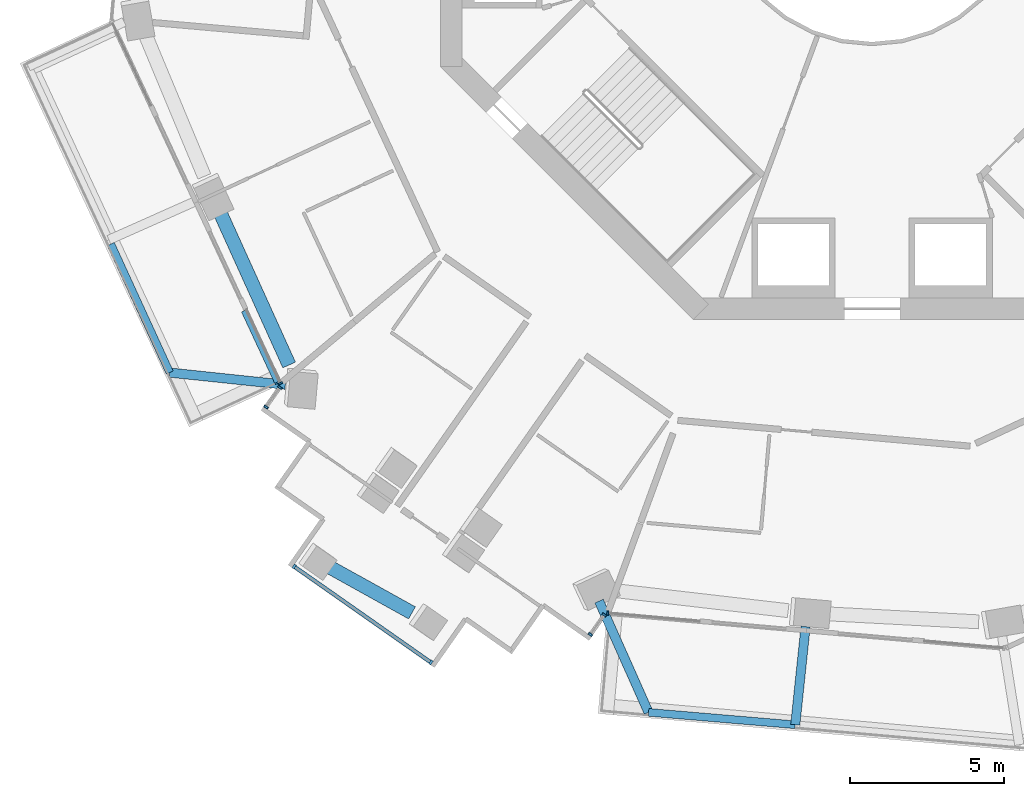
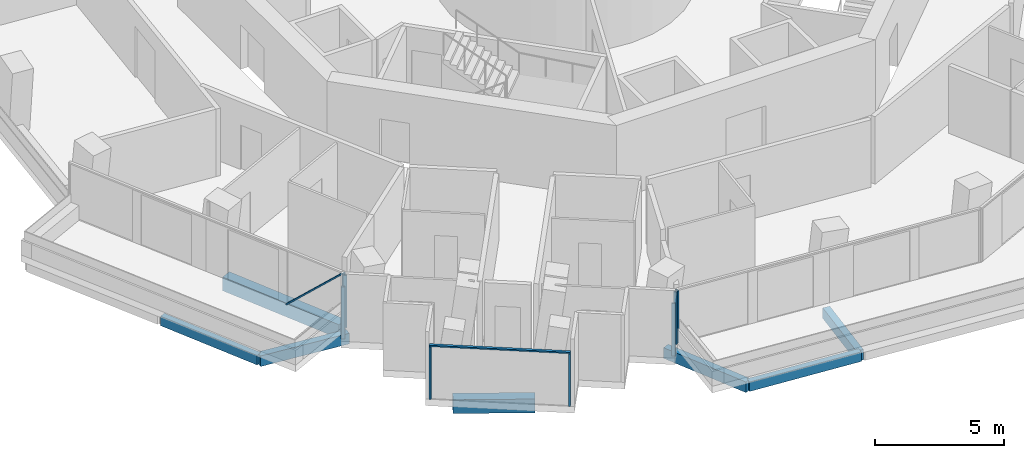
# One storey, part 2 of 23: 10 members, 7 beams, 5 elements without a shape of their own.
"""IFC4 building model written with IfcOpenShell, lengths in metres."""

from ifc_helpers import new_model, si_unit, direction, frame, origin, origin_2d, place, context, subcontext, project, spatial, rectangle, extrude, material, layer, layer_set, material_profile, profile_set, type_object, element, aggregate, save


model = new_model("IFC4")

# Units and contexts
model_context = context("Model", 3, precision=1e-05, world=origin(), true_north=direction((0.0, 1.0)))
body_context = subcontext(model_context, "Body", "Model", "MODEL_VIEW")
ifc_project = project(units=[si_unit("LENGTHUNIT", "METRE"), si_unit("AREAUNIT", "SQUARE_METRE"), si_unit("VOLUMEUNIT", "CUBIC_METRE"), si_unit("PLANEANGLEUNIT", "RADIAN"), si_unit("MASSUNIT", "GRAM", prefix="KILO")], contexts=[model_context])

# Site, building, storey
site_placement = place(None, origin())
site = spatial("IfcSite", under=ifc_project, at=site_placement, CompositionType="ELEMENT")
building_placement = place(site_placement, origin())
building = spatial("IfcBuilding", under=site, at=building_placement, Name="Verdalira Terraces Hotel", CompositionType="ELEMENT")
storey_placement = place(building_placement, frame((0.0, 0.0, 136.5)))
storey = spatial("IfcBuildingStorey", under=building, at=storey_placement, Name="L32", CompositionType="ELEMENT", Elevation=136.5)

# Beams
ifc_material_1 = material(Name="Concrete C40", Category="concrete")
ifc_material_profile_1 = material_profile(ifc_material_1, rectangle(XDim=0.300049, YDim=0.5, at=origin_2d()), Name="RC 300X500")
ifc_profile_set_1 = profile_set([ifc_material_profile_1], Name="Concrete C40")
beam_type_1 = type_object("IfcBeamType", Name="Balcony cantilever beam RC 300X500 C40", PredefinedType="BEAM", material=ifc_profile_set_1)
beam_1_placement = place(storey_placement, frame((-19.031006, -16.115723, -0.560059), z_axis=(-0.994521765, 0.104529704, 0.0), x_axis=(-0.104529704, -0.994521765, 0.0)))
element("IfcBeam", 1, at=beam_1_placement, inside=storey, type_object=beam_type_1, Name="Balcony cantilever beam R13-3", PredefinedType="BEAM", context=body_context, shape_type="SweptSolid", body=[
    extrude(rectangle(XDim=0.300049, YDim=0.5, at=origin_2d()), origin(), (0.0, 0.0, 1.0), 3.769775),
])
beam_2_placement = place(storey_placement, frame((-8.856201, -23.132568, -0.560059), z_axis=(0.406763468, -0.913533514, 0.0), x_axis=(0.913533514, 0.406763468, 0.0)))
element("IfcBeam", 2, at=beam_2_placement, inside=storey, type_object=beam_type_1, Name="Balcony cantilever beam R25-1", PredefinedType="BEAM", context=body_context, shape_type="SweptSolid", body=[
    extrude(rectangle(XDim=0.300049, YDim=0.5, at=origin_2d()), origin(), (0.0, 0.0, 1.0), 3.949951),
])
beam_3_placement = place(storey_placement, frame((-2.156006, -23.961182, -0.560059), z_axis=(-0.104494204, -0.994525496, 0.0), x_axis=(0.994525496, -0.104494204, 0.0)))
element("IfcBeam", 3, at=beam_3_placement, inside=storey, type_object=beam_type_1, Name="Balcony cantilever beam R25-2", PredefinedType="BEAM", context=body_context, shape_type="SweptSolid", body=[
    extrude(rectangle(XDim=0.300049, YDim=0.5, at=origin_2d()), origin(), (0.0, 0.0, 1.0), 3.200928),
])
ifc_material_2 = material(Name="Concrete C40", Category="concrete")
ifc_material_profile_2 = material_profile(ifc_material_2, rectangle(XDim=0.25, YDim=0.449951, at=origin_2d()), Name="RC 250X450")
ifc_profile_set_2 = profile_set([ifc_material_profile_2], Name="Concrete C40")
beam_type_2 = type_object("IfcBeamType", Name="Balcony edge beam RC 250X450 C40", PredefinedType="BEAM", material=ifc_profile_set_2)
beam_4_placement = place(storey_placement, frame((-24.690674, -11.551758, -0.534912), z_axis=(0.416552073, -0.909111858, 0.0), x_axis=(0.909111858, 0.416552073, 0.0)))
element("IfcBeam", 4, at=beam_4_placement, inside=storey, type_object=beam_type_2, Name="Balcony edge beam R13-2", PredefinedType="BEAM", context=body_context, shape_type="SweptSolid", body=[
    extrude(rectangle(XDim=0.25, YDim=0.449951, at=origin_2d()), origin(), (0.0, 0.0, 1.0), 4.586914),
])
beam_5_placement = place(storey_placement, frame((-7.249512, -26.740967, -0.534912), z_axis=(0.996423784, -0.08449641, 0.0), x_axis=(0.08449641, 0.996423784, 0.0)))
element("IfcBeam", 5, at=beam_5_placement, inside=storey, type_object=beam_type_2, Name="Balcony edge beam R25-1", PredefinedType="BEAM", context=body_context, shape_type="SweptSolid", body=[
    extrude(rectangle(XDim=0.25, YDim=0.449951, at=origin_2d()), origin(), (0.0, 0.0, 1.0), 4.776123),
])

# Curtain wall, member
ifc_material_3 = material(Name="Clear glass", Category="glass")
ifc_layer_1 = layer(ifc_material_3, 0.14990234375)
ifc_layer_set_1 = layer_set([ifc_layer_1], Name="CW1 curtain wall")
curtain_wall_type_1 = type_object("IfcCurtainWallType", Name="CW1 curtain wall", PredefinedType="NOTDEFINED", material=ifc_layer_set_1)
curtain_wall_1_placement = place(storey_placement, origin())
curtain_wall_1 = element("IfcCurtainWall", 6, at=curtain_wall_1_placement, inside=storey, type_object=curtain_wall_type_1, Name="CW1 curtain wall L32 edge 13", PredefinedType="NOTDEFINED")
ifc_material_4 = material(Name="Terracotta frame", Category="masonry")
ifc_material_profile_3 = material_profile(ifc_material_4, rectangle(XDim=0.060059, YDim=0.149902, at=origin_2d()), Name="MU 60x150")
ifc_profile_set_3 = profile_set([ifc_material_profile_3], Name="Terracotta frame")
member_type_1 = type_object("IfcMemberType", Name="CW1 mullion 60x150", PredefinedType="MULLION", material=ifc_profile_set_3)
member_1_placement = place(storey_placement, frame((-19.194336, -16.070801, 0.0), z_axis=(0.0, 0.0, 1.0), x_axis=(0.421985437, -0.906602609, 0.0)))
member_1 = element("IfcMember", 7, at=member_1_placement, type_object=member_type_1, Name="CW1 mullion", PredefinedType="MULLION", context=body_context, shape_type="SweptSolid", body=[
    extrude(rectangle(XDim=0.060059, YDim=0.149902, at=origin_2d()), origin(), (0.0, 0.0, 1.0), 2.475098),
])

curtain_wall_2_placement = place(storey_placement, origin())
curtain_wall_2 = element("IfcCurtainWall", 8, at=curtain_wall_2_placement, inside=storey, type_object=curtain_wall_type_1, Name="CW1 curtain wall L32 edge 25", PredefinedType="NOTDEFINED")
member_2_placement = place(storey_placement, frame((-8.56958, -23.521484, 0.0), z_axis=(0.0, 0.0, 1.0), x_axis=(0.996133609, -0.087851197, 0.0)))
member_2 = element("IfcMember", 9, at=member_2_placement, type_object=member_type_1, Name="CW1 mullion", PredefinedType="MULLION", context=body_context, shape_type="SweptSolid", body=[
    extrude(rectangle(XDim=0.060059, YDim=0.149902, at=origin_2d()), origin(), (0.0, 0.0, 1.0), 2.475098),
])
aggregate(curtain_wall_2, [member_2])

# Curtain wall, members
ifc_material_5 = material(Name="Clear glass", Category="glass")
ifc_layer_2 = layer(ifc_material_5, 0.14990234375)
ifc_layer_set_2 = layer_set([ifc_layer_2], Name="CW2 curtain wall")
curtain_wall_type_2 = type_object("IfcCurtainWallType", Name="CW2 curtain wall", PredefinedType="NOTDEFINED", material=ifc_layer_set_2)
curtain_wall_3_placement = place(storey_placement, origin())
curtain_wall_3 = element("IfcCurtainWall", 10, at=curtain_wall_3_placement, inside=storey, type_object=curtain_wall_type_2, Name="CW2 curtain wall L32 edge 14", PredefinedType="NOTDEFINED")
ifc_material_6 = material(Name="Terracotta frame", Category="masonry")
ifc_material_profile_4 = material_profile(ifc_material_6, rectangle(XDim=0.070068, YDim=0.149902, at=origin_2d()), Name="MU 70x150")
ifc_profile_set_4 = profile_set([ifc_material_profile_4], Name="Terracotta frame")
member_type_2 = type_object("IfcMemberType", Name="CW2 mullion 70x150", PredefinedType="MULLION", material=ifc_profile_set_4)
member_3_placement = place(storey_placement, frame((-19.208496, -16.201416, 0.0), z_axis=(0.0, 0.0, 1.0), x_axis=(-0.574148173, -0.818751413, 0.0)))
member_3 = element("IfcMember", 11, at=member_3_placement, type_object=member_type_2, Name="CW2 mullion", PredefinedType="MULLION", context=body_context, shape_type="SweptSolid", body=[
    extrude(rectangle(XDim=0.070068, YDim=0.149902, at=origin_2d()), origin(), (0.0, 0.0, 1.0), 2.475098),
])
member_4_placement = place(storey_placement, frame((-19.65625, -16.839844, 0.0), z_axis=(0.0, 0.0, 1.0), x_axis=(-0.574148173, -0.818751413, 0.0)))
member_4 = element("IfcMember", 12, at=member_4_placement, type_object=member_type_2, Name="CW2 mullion", PredefinedType="MULLION", context=body_context, shape_type="SweptSolid", body=[
    extrude(rectangle(XDim=0.070068, YDim=0.149902, at=origin_2d()), origin(), (0.0, 0.0, 1.0), 2.475098),
])
aggregate(curtain_wall_3, [member_3, member_4])

curtain_wall_4_placement = place(storey_placement, origin())
curtain_wall_4 = element("IfcCurtainWall", 13, at=curtain_wall_4_placement, inside=storey, type_object=curtain_wall_type_2, Name="CW2 curtain wall L32 edge 24", PredefinedType="NOTDEFINED")
member_5_placement = place(storey_placement, frame((-9.135254, -24.217773, 0.0), z_axis=(0.0, 0.0, 1.0), x_axis=(0.574148173, 0.818751413, 0.0)))
member_5 = element("IfcMember", 14, at=member_5_placement, type_object=member_type_2, Name="CW2 mullion", PredefinedType="MULLION", context=body_context, shape_type="SweptSolid", body=[
    extrude(rectangle(XDim=0.070068, YDim=0.149902, at=origin_2d()), origin(), (0.0, 0.0, 1.0), 2.475098),
])
member_6_placement = place(storey_placement, frame((-8.6875, -23.579102, 0.0), z_axis=(0.0, 0.0, 1.0), x_axis=(0.574148173, 0.818751413, 0.0)))
member_6 = element("IfcMember", 15, at=member_6_placement, type_object=member_type_2, Name="CW2 mullion", PredefinedType="MULLION", context=body_context, shape_type="SweptSolid", body=[
    extrude(rectangle(XDim=0.070068, YDim=0.149902, at=origin_2d()), origin(), (0.0, 0.0, 1.0), 2.475098),
])
aggregate(curtain_wall_4, [member_5, member_6])

ifc_material_7 = material(Name="Clear glass", Category="glass")
ifc_layer_3 = layer(ifc_material_7, 0.14990234375)
ifc_layer_set_3 = layer_set([ifc_layer_3], Name="CW3 curtain wall")
curtain_wall_type_3 = type_object("IfcCurtainWallType", Name="CW3 curtain wall", PredefinedType="NOTDEFINED", material=ifc_layer_set_3)
curtain_wall_5_placement = place(storey_placement, origin())
curtain_wall_5 = element("IfcCurtainWall", 16, at=curtain_wall_5_placement, inside=storey, type_object=curtain_wall_type_3, Name="CW3 curtain wall L32 edge 19", PredefinedType="NOTDEFINED")
ifc_material_8 = material(Name="Terracotta frame", Category="masonry")
ifc_material_profile_5 = material_profile(ifc_material_8, rectangle(XDim=0.080078, YDim=0.149902, at=origin_2d()), Name="MU 80x150")
ifc_profile_set_5 = profile_set([ifc_material_profile_5], Name="Terracotta frame")
member_type_3 = type_object("IfcMemberType", Name="CW3 mullion 80x150", PredefinedType="MULLION", material=ifc_profile_set_5)
member_7_placement = place(storey_placement, frame((-18.744629, -22.010498, 0.0), z_axis=(0.0, 0.0, 1.0), x_axis=(0.818751413, -0.574148173, 0.0)))
member_7 = element("IfcMember", 17, at=member_7_placement, type_object=member_type_3, Name="CW3 mullion", PredefinedType="MULLION", context=body_context, shape_type="SweptSolid", body=[
    extrude(rectangle(XDim=0.080078, YDim=0.149902, at=origin_2d()), origin(), (0.0, 0.0, 1.0), 2.475098),
])
member_8_placement = place(storey_placement, frame((-14.307129, -25.122314, 0.0), z_axis=(0.0, 0.0, 1.0), x_axis=(0.818751413, -0.574148173, 0.0)))
member_8 = element("IfcMember", 18, at=member_8_placement, type_object=member_type_3, Name="CW3 mullion", PredefinedType="MULLION", context=body_context, shape_type="SweptSolid", body=[
    extrude(rectangle(XDim=0.080078, YDim=0.149902, at=origin_2d()), origin(), (0.0, 0.0, 1.0), 2.475098),
])
ifc_material_9 = material(Name="Terracotta frame", Category="masonry")
ifc_material_profile_6 = material_profile(ifc_material_9, rectangle(XDim=0.120117, YDim=0.064941, at=origin_2d()), Name="TR 65x120")
ifc_profile_set_6 = profile_set([ifc_material_profile_6], Name="Terracotta frame")
member_type_4 = type_object("IfcMemberType", Name="CW3 transom 65x120", PredefinedType="USERDEFINED", material=ifc_profile_set_6)
member_9_placement = place(storey_placement, frame((-18.777344, -21.987549, 2.507568), z_axis=(0.818747797, -0.574153329, 0.0), x_axis=(0.574153329, 0.818747797, 0.0)))
member_9 = element("IfcMember", 19, at=member_9_placement, type_object=member_type_4, Name="CW3 transom", ObjectType="TRANSOM", PredefinedType="USERDEFINED", context=body_context, shape_type="SweptSolid", body=[
    extrude(rectangle(XDim=0.120117, YDim=0.064941, at=origin_2d()), origin(), (0.0, 0.0, 1.0), 5.499756),
])
aggregate(curtain_wall_5, [member_7, member_8, member_9])

# Member
ifc_material_10 = material(Name="Terracotta frame", Category="masonry")
ifc_material_profile_7 = material_profile(ifc_material_10, rectangle(XDim=0.149902, YDim=0.060059, at=origin_2d()), Name="GB 60x150")
ifc_profile_set_7 = profile_set([ifc_material_profile_7], Name="Terracotta frame")
member_type_5 = type_object("IfcMemberType", Name="Diagonal glazing bar 60x150", PredefinedType="USERDEFINED", material=ifc_profile_set_7)
member_10_placement = place(storey_placement, frame((-20.376465, -13.741943, 0.023193), z_axis=(0.305858503, -0.657211468, 0.688856779), x_axis=(0.906626796, 0.421933469, 0.0)))
member_10 = element("IfcMember", 20, at=member_10_placement, type_object=member_type_5, Name="Diagonal glazing bar", ObjectType="GLAZING BAR", PredefinedType="USERDEFINED", context=body_context, shape_type="SweptSolid", body=[
    extrude(rectangle(XDim=0.149902, YDim=0.060059, at=origin_2d()), origin(), (0.0, 0.0, 1.0), 3.525635),
])

aggregate(curtain_wall_1, [member_1, member_10])

# Beams
ifc_material_11 = material(Name="Concrete C50", Category="concrete")
ifc_material_profile_8 = material_profile(ifc_material_11, rectangle(XDim=0.449951, YDim=0.649902, at=origin_2d()), Name="RC 450X650")
ifc_profile_set_8 = profile_set([ifc_material_profile_8], Name="Concrete C50")
beam_type_3 = type_object("IfcBeamType", Name="Spandrel beam RC 450X650 C50", PredefinedType="SPANDREL", material=ifc_profile_set_8)
beam_6_placement = place(storey_placement, frame((-21.19458, -10.423584, -0.63501), z_axis=(0.412558567, -0.910931078, 0.0), x_axis=(0.910931078, 0.412558567, 0.0)))
element("IfcBeam", 21, at=beam_6_placement, inside=storey, type_object=beam_type_3, Name="Spandrel beam B07", PredefinedType="SPANDREL", context=body_context, shape_type="SweptSolid", body=[
    extrude(rectangle(XDim=0.449951, YDim=0.649902, at=origin_2d()), origin(), (0.0, 0.0, 1.0), 5.544922),
])
beam_7_placement = place(storey_placement, frame((-17.714111, -21.9646, -0.63501), z_axis=(0.874359197, -0.485279295, 0.0), x_axis=(0.485279295, 0.874359197, 0.0)))
element("IfcBeam", 22, at=beam_7_placement, inside=storey, type_object=beam_type_3, Name="Spandrel beam B08", PredefinedType="SPANDREL", context=body_context, shape_type="SweptSolid", body=[
    extrude(rectangle(XDim=0.449951, YDim=0.649902, at=origin_2d()), origin(), (0.0, 0.0, 1.0), 3.192627),
])

save(model, "model.ifc")
